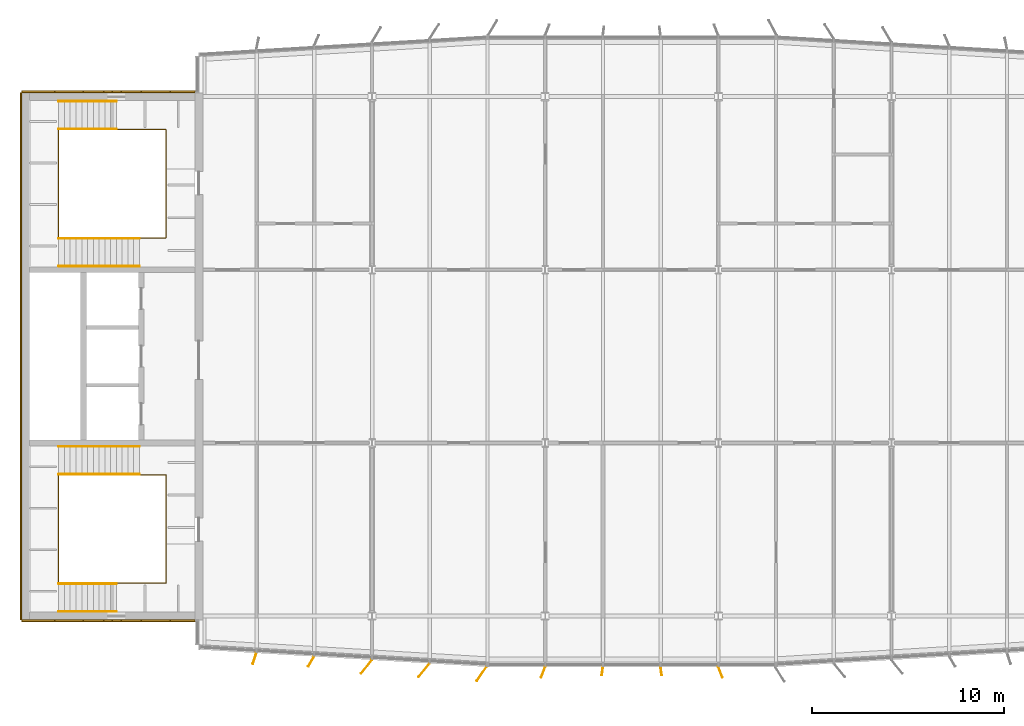
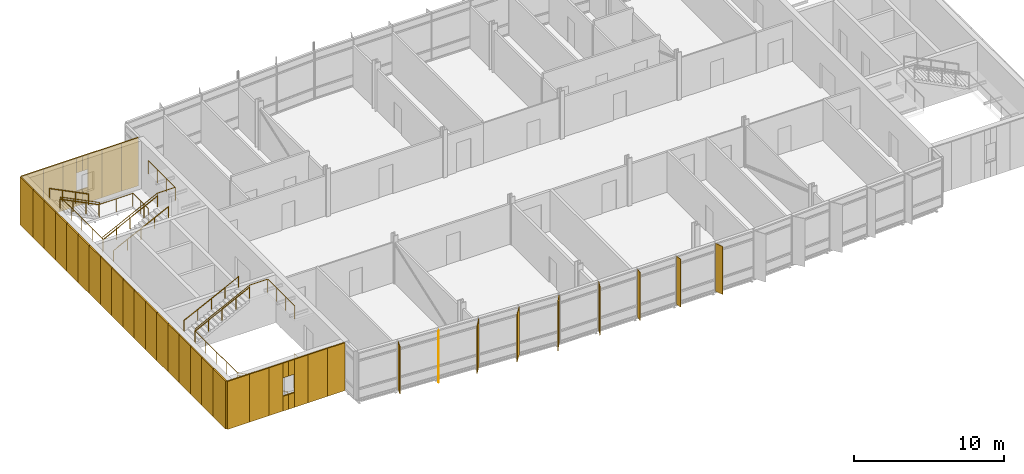
# One storey, part 16 of 18: 38 coverings, 10 railings, 9 shading devices.
"""IFC4 building model written with IfcOpenShell, lengths in metres."""

from ifc_helpers import new_model, si_unit, direction, frame, origin, origin_2d, place, context, subcontext, project, spatial, rectangle, circle, extrude, material, layer, layer_set, type_object, element, save


model = new_model("IFC4")

# Units and contexts
model_context = context("Model", 3, precision=1e-05, world=origin(), true_north=direction((0.0, 1.0)))
body_context = subcontext(model_context, "Body", "Model", "MODEL_VIEW")
ifc_project = project(units=[si_unit("LENGTHUNIT", "METRE"), si_unit("AREAUNIT", "SQUARE_METRE"), si_unit("VOLUMEUNIT", "CUBIC_METRE"), si_unit("PLANEANGLEUNIT", "RADIAN"), si_unit("MASSUNIT", "GRAM", prefix="KILO")], contexts=[model_context])

# Site, building, storey
site_placement = place(None, origin())
site = spatial("IfcSite", under=ifc_project, at=site_placement, CompositionType="ELEMENT")
building_placement = place(site_placement, origin())
building = spatial("IfcBuilding", under=site, at=building_placement, Name="Azimuth Sports and Learning Centre", CompositionType="ELEMENT")
storey_placement = place(building_placement, frame((0.0, 0.0, 63.60009765625)))
storey = spatial("IfcBuildingStorey", under=building, at=storey_placement, Name="L14", CompositionType="ELEMENT", Elevation=63.60009765625)

# Coverings
ifc_material_1 = material(Name="Cladding panel")
ifc_layer_1 = layer(ifc_material_1, 0.10009765625)
ifc_layer_set_1 = layer_set([ifc_layer_1], Name="Cladding panel")
covering_type = type_object("IfcCoveringType", Name="Cladding panel 100", PredefinedType="CLADDING", material=ifc_layer_set_1)
covering_1_placement = place(storey_placement, frame((54.64990234375, 89.75, 0.0), z_axis=(0.0, 0.0, 1.0), x_axis=(1.0, 0.0, 0.0)))
element("IfcCovering", 1, at=covering_1_placement, inside=storey, type_object=covering_type, Name="Cladding panel S-CORE W L14 1", PredefinedType="CLADDING", context=body_context, shape_type="SweptSolid", body=[
    extrude(rectangle(XDim=1.699951171875, YDim=0.10009765625, at=origin_2d()), origin(), (0.0, 0.0, 1.0), 3.89990234375),
])
covering_2_placement = place(storey_placement, frame((56.25, 89.75, 0.0), z_axis=(0.0, 0.0, 1.0), x_axis=(1.0, 0.0, 0.0)))
element("IfcCovering", 2, at=covering_2_placement, inside=storey, type_object=covering_type, Name="Cladding panel S-CORE W L14 2", PredefinedType="CLADDING", context=body_context, shape_type="SweptSolid", body=[
    extrude(rectangle(XDim=1.5, YDim=0.10009765625, at=origin_2d()), origin(), (0.0, 0.0, 1.0), 3.89990234375),
])
covering_3_placement = place(storey_placement, frame((57.52490234375, 89.75, 0.0), z_axis=(0.0, 0.0, 1.0), x_axis=(1.0, 0.0, 0.0)))
element("IfcCovering", 3, at=covering_3_placement, inside=storey, type_object=covering_type, Name="Cladding panel S-CORE W L14 3", PredefinedType="CLADDING", context=body_context, shape_type="SweptSolid", body=[
    extrude(rectangle(XDim=1.050048828125, YDim=0.10009765625, at=origin_2d()), origin(), (0.0, 0.0, 1.0), 3.89990234375),
])
for number, where, z_axis, x_axis, name in (
    (4, (58.27490234375, 89.75, 0.0), (0.0, 0.0, 1.0), (1.0, 0.0, 0.0), "Cladding panel S-CORE W L14 4"),
    (5, (58.27490234375, 89.75, 2.69970703125), (0.0, 0.0, 1.0), (1.0, 0.0, 0.0), "Cladding panel S-CORE W L14 5"),
):
    element("IfcCovering", number, at=place(storey_placement, frame(where, z_axis=z_axis, x_axis=x_axis)), inside=storey, type_object=covering_type, Name=name, PredefinedType="CLADDING", context=body_context, shape_type="SweptSolid", body=[
        extrude(rectangle(XDim=0.449951171875, YDim=0.10009765625, at=origin_2d()), origin(), (0.0, 0.0, 1.0), 1.199951171875),
    ])
covering_4_placement = place(storey_placement, frame((59.47509765625, 89.75, 0.0), z_axis=(0.0, 0.0, 1.0), x_axis=(1.0, 0.0, 0.0)))
element("IfcCovering", 6, at=covering_4_placement, inside=storey, type_object=covering_type, Name="Cladding panel S-CORE W L14 6", PredefinedType="CLADDING", context=body_context, shape_type="SweptSolid", body=[
    extrude(rectangle(XDim=1.050048828125, YDim=0.10009765625, at=origin_2d()), origin(), (0.0, 0.0, 1.0), 3.89990234375),
])
for number, where, z_axis, x_axis, name in (
    (7, (58.72509765625, 89.75, 0.0), (0.0, 0.0, 1.0), (1.0, 0.0, 0.0), "Cladding panel S-CORE W L14 7"),
    (8, (58.72509765625, 89.75, 2.69970703125), (0.0, 0.0, 1.0), (1.0, 0.0, 0.0), "Cladding panel S-CORE W L14 8"),
):
    element("IfcCovering", number, at=place(storey_placement, frame(where, z_axis=z_axis, x_axis=x_axis)), inside=storey, type_object=covering_type, Name=name, PredefinedType="CLADDING", context=body_context, shape_type="SweptSolid", body=[
        extrude(rectangle(XDim=0.449951171875, YDim=0.10009765625, at=origin_2d()), origin(), (0.0, 0.0, 1.0), 1.199951171875),
    ])
covering_5_placement = place(storey_placement, frame((60.75, 89.75, 0.0), z_axis=(0.0, 0.0, 1.0), x_axis=(1.0, 0.0, 0.0)))
element("IfcCovering", 9, at=covering_5_placement, inside=storey, type_object=covering_type, Name="Cladding panel S-CORE W L14 9", PredefinedType="CLADDING", context=body_context, shape_type="SweptSolid", body=[
    extrude(rectangle(XDim=1.5, YDim=0.10009765625, at=origin_2d()), origin(), (0.0, 0.0, 1.0), 3.89990234375),
])
for number, where, z_axis, x_axis, name in (
    (10, (62.159912109375, 89.75, 0.0), (0.0, 0.0, 1.0), (1.0, 0.0, 0.0), "Cladding panel S-CORE W L14 10"),
    (11, (62.159912109375, 117.25, 0.0), (0.0, 0.0, 1.0), (-1.0, 0.0, 0.0), "Cladding panel N-CORE W L14 1"),
):
    element("IfcCovering", number, at=place(storey_placement, frame(where, z_axis=z_axis, x_axis=x_axis)), inside=storey, type_object=covering_type, Name=name, PredefinedType="CLADDING", context=body_context, shape_type="SweptSolid", body=[
        extrude(rectangle(XDim=1.320068359375, YDim=0.10009765625, at=origin_2d()), origin(), (0.0, 0.0, 1.0), 3.89990234375),
    ])
covering_6_placement = place(storey_placement, frame((60.75, 117.25, 0.0), z_axis=(0.0, 0.0, 1.0), x_axis=(-1.0, 0.0, 0.0)))
element("IfcCovering", 12, at=covering_6_placement, inside=storey, type_object=covering_type, Name="Cladding panel N-CORE W L14 2", PredefinedType="CLADDING", context=body_context, shape_type="SweptSolid", body=[
    extrude(rectangle(XDim=1.5, YDim=0.10009765625, at=origin_2d()), origin(), (0.0, 0.0, 1.0), 3.89990234375),
])
covering_7_placement = place(storey_placement, frame((59.47509765625, 117.25, 0.0), z_axis=(0.0, 0.0, 1.0), x_axis=(-1.0, 0.0, 0.0)))
element("IfcCovering", 13, at=covering_7_placement, inside=storey, type_object=covering_type, Name="Cladding panel N-CORE W L14 3", PredefinedType="CLADDING", context=body_context, shape_type="SweptSolid", body=[
    extrude(rectangle(XDim=1.050048828125, YDim=0.10009765625, at=origin_2d()), origin(), (0.0, 0.0, 1.0), 3.89990234375),
])
for number, where, z_axis, x_axis, name in (
    (14, (58.72509765625, 117.25, 0.0), (0.0, 0.0, 1.0), (-1.0, 0.0, 0.0), "Cladding panel N-CORE W L14 4"),
    (15, (58.72509765625, 117.25, 2.69970703125), (0.0, 0.0, 1.0), (-1.0, 0.0, 0.0), "Cladding panel N-CORE W L14 5"),
):
    element("IfcCovering", number, at=place(storey_placement, frame(where, z_axis=z_axis, x_axis=x_axis)), inside=storey, type_object=covering_type, Name=name, PredefinedType="CLADDING", context=body_context, shape_type="SweptSolid", body=[
        extrude(rectangle(XDim=0.449951171875, YDim=0.10009765625, at=origin_2d()), origin(), (0.0, 0.0, 1.0), 1.199951171875),
    ])
covering_8_placement = place(storey_placement, frame((57.52490234375, 117.25, 0.0), z_axis=(0.0, 0.0, 1.0), x_axis=(-1.0, 0.0, 0.0)))
element("IfcCovering", 16, at=covering_8_placement, inside=storey, type_object=covering_type, Name="Cladding panel N-CORE W L14 6", PredefinedType="CLADDING", context=body_context, shape_type="SweptSolid", body=[
    extrude(rectangle(XDim=1.050048828125, YDim=0.10009765625, at=origin_2d()), origin(), (0.0, 0.0, 1.0), 3.89990234375),
])
for number, where, z_axis, x_axis, name in (
    (17, (58.27490234375, 117.25, 0.0), (0.0, 0.0, 1.0), (-1.0, 0.0, 0.0), "Cladding panel N-CORE W L14 7"),
    (18, (58.27490234375, 117.25, 2.69970703125), (0.0, 0.0, 1.0), (-1.0, 0.0, 0.0), "Cladding panel N-CORE W L14 8"),
):
    element("IfcCovering", number, at=place(storey_placement, frame(where, z_axis=z_axis, x_axis=x_axis)), inside=storey, type_object=covering_type, Name=name, PredefinedType="CLADDING", context=body_context, shape_type="SweptSolid", body=[
        extrude(rectangle(XDim=0.449951171875, YDim=0.10009765625, at=origin_2d()), origin(), (0.0, 0.0, 1.0), 1.199951171875),
    ])
covering_9_placement = place(storey_placement, frame((56.25, 117.25, 0.0), z_axis=(0.0, 0.0, 1.0), x_axis=(-1.0, 0.0, 0.0)))
element("IfcCovering", 19, at=covering_9_placement, inside=storey, type_object=covering_type, Name="Cladding panel N-CORE W L14 9", PredefinedType="CLADDING", context=body_context, shape_type="SweptSolid", body=[
    extrude(rectangle(XDim=1.5, YDim=0.10009765625, at=origin_2d()), origin(), (0.0, 0.0, 1.0), 3.89990234375),
])
for number, where, z_axis, x_axis, name in (
    (20, (54.64990234375, 117.25, 0.0), (0.0, 0.0, 1.0), (-1.0, 0.0, 0.0), "Cladding panel N-CORE W L14 10"),
    (21, (53.75, 116.35009765625, 0.0), (0.0, 0.0, 1.0), (0.0, -1.0, 0.0), "Cladding panel W-CORE W L14 1"),
):
    element("IfcCovering", number, at=place(storey_placement, frame(where, z_axis=z_axis, x_axis=x_axis)), inside=storey, type_object=covering_type, Name=name, PredefinedType="CLADDING", context=body_context, shape_type="SweptSolid", body=[
        extrude(rectangle(XDim=1.699951171875, YDim=0.10009765625, at=origin_2d()), origin(), (0.0, 0.0, 1.0), 3.89990234375),
    ])
for number, where, z_axis, x_axis, name in (
    (22, (53.75, 114.75, 0.0), (0.0, 0.0, 1.0), (0.0, -1.0, 0.0), "Cladding panel W-CORE W L14 2"),
    (23, (53.75, 113.25, 0.0), (0.0, 0.0, 1.0), (0.0, -1.0, 0.0), "Cladding panel W-CORE W L14 3"),
    (24, (53.75, 111.75, 0.0), (0.0, 0.0, 1.0), (0.0, -1.0, 0.0), "Cladding panel W-CORE W L14 4"),
    (25, (53.75, 110.25, 0.0), (0.0, 0.0, 1.0), (0.0, -1.0, 0.0), "Cladding panel W-CORE W L14 5"),
    (26, (53.75, 108.75, 0.0), (0.0, 0.0, 1.0), (0.0, -1.0, 0.0), "Cladding panel W-CORE W L14 6"),
    (27, (53.75, 107.25, 0.0), (0.0, 0.0, 1.0), (0.0, -1.0, 0.0), "Cladding panel W-CORE W L14 7"),
    (28, (53.75, 105.75, 0.0), (0.0, 0.0, 1.0), (0.0, -1.0, 0.0), "Cladding panel W-CORE W L14 8"),
    (29, (53.75, 104.25, 0.0), (0.0, 0.0, 1.0), (0.0, -1.0, 0.0), "Cladding panel W-CORE W L14 9"),
    (30, (53.75, 102.75, 0.0), (0.0, 0.0, 1.0), (0.0, -1.0, 0.0), "Cladding panel W-CORE W L14 10"),
    (31, (53.75, 101.25, 0.0), (0.0, 0.0, 1.0), (0.0, -1.0, 0.0), "Cladding panel W-CORE W L14 11"),
    (32, (53.75, 99.75, 0.0), (0.0, 0.0, 1.0), (0.0, -1.0, 0.0), "Cladding panel W-CORE W L14 12"),
    (33, (53.75, 98.25, 0.0), (0.0, 0.0, 1.0), (0.0, -1.0, 0.0), "Cladding panel W-CORE W L14 13"),
    (34, (53.75, 96.75, 0.0), (0.0, 0.0, 1.0), (0.0, -1.0, 0.0), "Cladding panel W-CORE W L14 14"),
    (35, (53.75, 95.25, 0.0), (0.0, 0.0, 1.0), (0.0, -1.0, 0.0), "Cladding panel W-CORE W L14 15"),
    (36, (53.75, 93.75, 0.0), (0.0, 0.0, 1.0), (0.0, -1.0, 0.0), "Cladding panel W-CORE W L14 16"),
    (37, (53.75, 92.25, 0.0), (0.0, 0.0, 1.0), (0.0, -1.0, 0.0), "Cladding panel W-CORE W L14 17"),
):
    element("IfcCovering", number, at=place(storey_placement, frame(where, z_axis=z_axis, x_axis=x_axis)), inside=storey, type_object=covering_type, Name=name, PredefinedType="CLADDING", context=body_context, shape_type="SweptSolid", body=[
        extrude(rectangle(XDim=1.5, YDim=0.10009765625, at=origin_2d()), origin(), (0.0, 0.0, 1.0), 3.89990234375),
    ])
covering_10_placement = place(storey_placement, frame((53.75, 90.64990234375, 0.0), z_axis=(0.0, 0.0, 1.0), x_axis=(0.0, -1.0, 0.0)))
element("IfcCovering", 38, at=covering_10_placement, inside=storey, type_object=covering_type, Name="Cladding panel W-CORE W L14 18", PredefinedType="CLADDING", context=body_context, shape_type="SweptSolid", body=[
    extrude(rectangle(XDim=1.699951171875, YDim=0.10009765625, at=origin_2d()), origin(), (0.0, 0.0, 1.0), 3.89990234375),
])

# Shading devices
ifc_material_2 = material(Name="Aluminium", Category="aluminium")
ifc_layer_2 = layer(ifc_material_2, 0.0400390625)
ifc_layer_set_2 = layer_set([ifc_layer_2], Name="Aluminium")
shading_device_type_1 = type_object("IfcShadingDeviceType", Name="Shading fin 450", PredefinedType="JALOUSIE", material=ifc_layer_set_2)
for number, where, z_axis, x_axis, name in (
    (39, (83.970703125, 87.136962890625, 0.0), (0.0, 0.0, 1.0), (-0.130263528306, -0.991479406338, 0.0), "Shading fin F14-007"),
    (40, (87.029296875, 87.136962890625, 0.0), (0.0, 0.0, 1.0), (0.130263528306, -0.991479406338, 0.0), "Shading fin F14-008"),
):
    element("IfcShadingDevice", number, at=place(storey_placement, frame(where, z_axis=z_axis, x_axis=x_axis)), inside=storey, type_object=shading_device_type_1, Name=name, PredefinedType="JALOUSIE", context=body_context, shape_type="SweptSolid", body=[
        extrude(rectangle(XDim=0.449951171875, YDim=0.0400390625, at=origin_2d()), origin(), (0.0, 0.0, 1.0), 3.89990234375),
    ])
ifc_material_3 = material(Name="Aluminium", Category="aluminium")
ifc_layer_3 = layer(ifc_material_3, 0.0400390625)
ifc_layer_set_3 = layer_set([ifc_layer_3], Name="Aluminium")
shading_device_type_2 = type_object("IfcShadingDeviceType", Name="Shading fin 600", PredefinedType="JALOUSIE", material=ifc_layer_set_3)
for number, where, z_axis, x_axis, name in (
    (41, (65.892578125, 87.795166015625, 0.0), (0.0, 0.0, 1.0), (-0.310280447308, -0.950645067319, 0.0), "Shading fin F14-001"),
    (42, (68.834716796875, 87.64111328125, 0.0), (0.0, 0.0, 1.0), (-0.50282122482, -0.864390430228, 0.0), "Shading fin F14-002"),
    (43, (80.8916015625, 87.080322265625, 0.0), (0.0, 0.0, 1.0), (-0.36097797694, -0.932574340288, 0.0), "Shading fin F14-006"),
    (44, (90.1083984375, 87.080322265625, 0.0), (0.0, 0.0, 1.0), (0.36097797694, -0.932574340288, 0.0), "Shading fin F14-009"),
):
    element("IfcShadingDevice", number, at=place(storey_placement, frame(where, z_axis=z_axis, x_axis=x_axis)), inside=storey, type_object=shading_device_type_2, Name=name, PredefinedType="JALOUSIE", context=body_context, shape_type="SweptSolid", body=[
        extrude(rectangle(XDim=0.60009765625, YDim=0.0400390625, at=origin_2d()), origin(), (0.0, 0.0, 1.0), 3.89990234375),
    ])
ifc_material_4 = material(Name="Aluminium", Category="aluminium")
ifc_layer_4 = layer(ifc_material_4, 0.0400390625)
ifc_layer_set_4 = layer_set([ifc_layer_4], Name="Aluminium")
shading_device_type_3 = type_object("IfcShadingDeviceType", Name="Shading fin 900", PredefinedType="JALOUSIE", material=ifc_layer_set_4)
for number, where, z_axis, x_axis, name in (
    (45, (71.710693359375, 87.3642578125, 0.0), (0.0, 0.0, 1.0), (-0.611135436755, -0.791526043755, 0.0), "Shading fin F14-003"),
    (46, (74.700927734375, 87.19189453125, 0.0), (0.0, 0.0, 1.0), (-0.632521516641, -0.77454278835, 0.0), "Shading fin F14-004"),
    (47, (77.695068359375, 86.9921875, 0.0), (0.0, 0.0, 1.0), (-0.567994981624, -0.823032016904, 0.0), "Shading fin F14-005"),
):
    element("IfcShadingDevice", number, at=place(storey_placement, frame(where, z_axis=z_axis, x_axis=x_axis)), inside=storey, type_object=shading_device_type_3, Name=name, PredefinedType="JALOUSIE", context=body_context, shape_type="SweptSolid", body=[
        extrude(rectangle(XDim=0.89990234375, YDim=0.0400390625, at=origin_2d()), origin(), (0.0, 0.0, 1.0), 3.89990234375),
    ])

# Railings
ifc_material_5 = material(Name="Stainless steel", Category="steel")
railing_type_1 = type_object("IfcRailingType", Name="Stair guard 1100", PredefinedType="GUARDRAIL", material=ifc_material_5)
railing_1_placement = place(storey_placement, frame((61.2900390625, 93.75, 0.0)))
element("IfcRailing", 48, at=railing_1_placement, inside=storey, type_object=railing_type_1, Name="Guard W1 L14 well", PredefinedType="GUARDRAIL", context=body_context, shape_type="SweptSolid", body=[
    extrude(circle(Radius=0.02392578125, at=origin_2d()), frame((0.0, 0.0, 1.076171875), z_axis=(0.0, -1.0, 0.0), x_axis=(1.0, 0.0, 0.0)), (0.0, 0.0, 1.0), 2.0400390625),
    extrude(circle(Radius=0.02392578125, at=origin_2d()), frame((0.0, -2.0400390625, 1.076171875), z_axis=(-1.0, 0.0, 0.0), x_axis=(0.0, -1.0, 0.0)), (0.0, 0.0, 1.0), 2.580078125),
    extrude(circle(Radius=0.02392578125, at=origin_2d()), frame((-2.580078125, -2.0400390625, 1.076171875), z_axis=(0.0, 0.0, 1.0), x_axis=(1.0, 0.0, 0.0)), (0.0, 0.0, 1.0), 0.14990234375),
    extrude(circle(Radius=0.02392578125, at=origin_2d()), frame((-2.580078125, -2.0400390625, 1.22607421875), z_axis=(-0.894427191, 0.0, 0.4472135955), x_axis=(0.0, -1.0, 0.0)), (0.0, 0.0, 1.0), 3.35400390625),
    extrude(circle(Radius=0.02392578125, at=origin_2d()), frame((-5.580078125, -2.0400390625, 2.72607421875), z_axis=(0.0, 1.0, 0.0), x_axis=(-1.0, 0.0, 0.0)), (0.0, 0.0, 1.0), 5.630126953125),
    extrude(circle(Radius=0.02392578125, at=origin_2d()), frame((-5.580078125, 3.590087890625, 2.72607421875), z_axis=(0.0, 0.0, 1.0), x_axis=(1.0, 0.0, 0.0)), (0.0, 0.0, 1.0), 0.14990234375),
    extrude(circle(Radius=0.02392578125, at=origin_2d()), frame((-5.580078125, 3.590087890625, 2.8759765625), z_axis=(0.894416792377, 0.0, 0.447234392142), x_axis=(0.0, 1.0, 0.0)), (0.0, 0.0, 1.0), 4.69580078125),
    extrude(circle(Radius=0.02392578125, at=origin_2d()), frame((-1.380126953125, 3.590087890625, 4.97607421875), z_axis=(1.0, 0.0, 0.0), x_axis=(0.0, 1.0, 0.0)), (0.0, 0.0, 1.0), 1.380126953125),
    extrude(circle(Radius=0.02392578125, at=origin_2d()), frame((0.0, 3.590087890625, 4.97607421875), z_axis=(0.0, -1.0, 0.0), x_axis=(1.0, 0.0, 0.0)), (0.0, 0.0, 1.0), 3.590087890625),
    extrude(circle(Radius=0.01611328125, at=origin_2d()), origin(), (0.0, 0.0, 1.0), 1.052001953125),
    extrude(circle(Radius=0.01611328125, at=origin_2d()), frame((0.0, -1.02001953125, 0.0)), (0.0, 0.0, 1.0), 1.052001953125),
    extrude(circle(Radius=0.01611328125, at=origin_2d()), frame((0.0, -2.0400390625, 0.0)), (0.0, 0.0, 1.0), 1.052001953125),
    extrude(circle(Radius=0.01611328125, at=origin_2d()), frame((-1.2900390625, -2.0400390625, 0.0)), (0.0, 0.0, 1.0), 1.052001953125),
    extrude(circle(Radius=0.01611328125, at=origin_2d()), frame((-2.580078125, -2.0400390625, 0.0)), (0.0, 0.0, 1.0), 1.052001953125),
    extrude(circle(Radius=0.01611328125, at=origin_2d()), frame((-2.580078125, -2.0400390625, 0.14990234375)), (0.0, 0.0, 1.0), 1.052001953125),
    extrude(circle(Radius=0.01611328125, at=origin_2d()), frame((-3.580078125, -2.0400390625, 0.64990234375)), (0.0, 0.0, 1.0), 1.052001953125),
    extrude(circle(Radius=0.01611328125, at=origin_2d()), frame((-4.580078125, -2.0400390625, 1.14990234375)), (0.0, 0.0, 1.0), 1.052001953125),
    extrude(circle(Radius=0.01611328125, at=origin_2d()), frame((-5.580078125, -2.0400390625, 1.64990234375)), (0.0, 0.0, 1.0), 1.052001953125),
    extrude(circle(Radius=0.01611328125, at=origin_2d()), frame((-5.580078125, -0.632568359375, 1.64990234375)), (0.0, 0.0, 1.0), 1.052001953125),
    extrude(circle(Radius=0.01611328125, at=origin_2d()), frame((-5.580078125, 0.77490234375, 1.64990234375)), (0.0, 0.0, 1.0), 1.052001953125),
    extrude(circle(Radius=0.01611328125, at=origin_2d()), frame((-5.580078125, 2.1826171875, 1.64990234375)), (0.0, 0.0, 1.0), 1.052001953125),
    extrude(circle(Radius=0.01611328125, at=origin_2d()), frame((-5.580078125, 3.590087890625, 1.64990234375)), (0.0, 0.0, 1.0), 1.052001953125),
    extrude(circle(Radius=0.01611328125, at=origin_2d()), frame((-5.580078125, 3.590087890625, 1.7998046875)), (0.0, 0.0, 1.0), 1.052001953125),
    extrude(circle(Radius=0.01611328125, at=origin_2d()), frame((-4.530029296875, 3.590087890625, 2.32470703125)), (0.0, 0.0, 1.0), 1.052001953125),
    extrude(circle(Radius=0.01611328125, at=origin_2d()), frame((-3.47998046875, 3.590087890625, 2.849853515625)), (0.0, 0.0, 1.0), 1.052001953125),
    extrude(circle(Radius=0.01611328125, at=origin_2d()), frame((-2.43017578125, 3.590087890625, 3.375)), (0.0, 0.0, 1.0), 1.052001953125),
    extrude(circle(Radius=0.01611328125, at=origin_2d()), frame((-1.380126953125, 3.590087890625, 3.89990234375)), (0.0, 0.0, 1.0), 1.052001953125),
    extrude(circle(Radius=0.01611328125, at=origin_2d()), frame((0.0, 3.590087890625, 3.89990234375)), (0.0, 0.0, 1.0), 1.052001953125),
    extrude(circle(Radius=0.01611328125, at=origin_2d()), frame((0.0, 2.393310546875, 3.89990234375)), (0.0, 0.0, 1.0), 1.052001953125),
    extrude(circle(Radius=0.01611328125, at=origin_2d()), frame((0.0, 1.19677734375, 3.89990234375)), (0.0, 0.0, 1.0), 1.052001953125),
    extrude(circle(Radius=0.01611328125, at=origin_2d()), frame((0.0, 0.0, 3.89990234375)), (0.0, 0.0, 1.0), 1.052001953125),
])
railing_2_placement = place(storey_placement, frame((61.2900390625, 113.25, 0.0)))
element("IfcRailing", 49, at=railing_2_placement, inside=storey, type_object=railing_type_1, Name="Guard W2 L14 well", PredefinedType="GUARDRAIL", context=body_context, shape_type="SweptSolid", body=[
    extrude(circle(Radius=0.02392578125, at=origin_2d()), frame((0.0, 0.0, 1.076171875), z_axis=(0.0, 1.0, 0.0), x_axis=(-1.0, 0.0, 0.0)), (0.0, 0.0, 1.0), 2.0400390625),
    extrude(circle(Radius=0.02392578125, at=origin_2d()), frame((0.0, 2.0400390625, 1.076171875), z_axis=(-1.0, 0.0, 0.0), x_axis=(0.0, -1.0, 0.0)), (0.0, 0.0, 1.0), 2.580078125),
    extrude(circle(Radius=0.02392578125, at=origin_2d()), frame((-2.580078125, 2.0400390625, 1.076171875), z_axis=(0.0, 0.0, 1.0), x_axis=(1.0, 0.0, 0.0)), (0.0, 0.0, 1.0), 0.14990234375),
    extrude(circle(Radius=0.02392578125, at=origin_2d()), frame((-2.580078125, 2.0400390625, 1.22607421875), z_axis=(-0.894427191, 0.0, 0.4472135955), x_axis=(0.0, -1.0, 0.0)), (0.0, 0.0, 1.0), 3.35400390625),
    extrude(circle(Radius=0.02392578125, at=origin_2d()), frame((-5.580078125, 2.0400390625, 2.72607421875), z_axis=(0.0, -1.0, 0.0), x_axis=(1.0, 0.0, 0.0)), (0.0, 0.0, 1.0), 5.630126953125),
    extrude(circle(Radius=0.02392578125, at=origin_2d()), frame((-5.580078125, -3.590087890625, 2.72607421875), z_axis=(0.0, 0.0, 1.0), x_axis=(1.0, 0.0, 0.0)), (0.0, 0.0, 1.0), 0.14990234375),
    extrude(circle(Radius=0.02392578125, at=origin_2d()), frame((-5.580078125, -3.590087890625, 2.8759765625), z_axis=(0.894416792377, 0.0, 0.447234392142), x_axis=(0.0, 1.0, 0.0)), (0.0, 0.0, 1.0), 4.69580078125),
    extrude(circle(Radius=0.02392578125, at=origin_2d()), frame((-1.380126953125, -3.590087890625, 4.97607421875), z_axis=(1.0, 0.0, 0.0), x_axis=(0.0, 1.0, 0.0)), (0.0, 0.0, 1.0), 1.380126953125),
    extrude(circle(Radius=0.02392578125, at=origin_2d()), frame((0.0, -3.590087890625, 4.97607421875), z_axis=(0.0, 1.0, 0.0), x_axis=(-1.0, 0.0, 0.0)), (0.0, 0.0, 1.0), 3.590087890625),
    extrude(circle(Radius=0.01611328125, at=origin_2d()), origin(), (0.0, 0.0, 1.0), 1.052001953125),
    extrude(circle(Radius=0.01611328125, at=origin_2d()), frame((0.0, 1.02001953125, 0.0)), (0.0, 0.0, 1.0), 1.052001953125),
    extrude(circle(Radius=0.01611328125, at=origin_2d()), frame((0.0, 2.0400390625, 0.0)), (0.0, 0.0, 1.0), 1.052001953125),
    extrude(circle(Radius=0.01611328125, at=origin_2d()), frame((-1.2900390625, 2.0400390625, 0.0)), (0.0, 0.0, 1.0), 1.052001953125),
    extrude(circle(Radius=0.01611328125, at=origin_2d()), frame((-2.580078125, 2.0400390625, 0.0)), (0.0, 0.0, 1.0), 1.052001953125),
    extrude(circle(Radius=0.01611328125, at=origin_2d()), frame((-2.580078125, 2.0400390625, 0.14990234375)), (0.0, 0.0, 1.0), 1.052001953125),
    extrude(circle(Radius=0.01611328125, at=origin_2d()), frame((-3.580078125, 2.0400390625, 0.64990234375)), (0.0, 0.0, 1.0), 1.052001953125),
    extrude(circle(Radius=0.01611328125, at=origin_2d()), frame((-4.580078125, 2.0400390625, 1.14990234375)), (0.0, 0.0, 1.0), 1.052001953125),
    extrude(circle(Radius=0.01611328125, at=origin_2d()), frame((-5.580078125, 2.0400390625, 1.64990234375)), (0.0, 0.0, 1.0), 1.052001953125),
    extrude(circle(Radius=0.01611328125, at=origin_2d()), frame((-5.580078125, 0.632568359375, 1.64990234375)), (0.0, 0.0, 1.0), 1.052001953125),
    extrude(circle(Radius=0.01611328125, at=origin_2d()), frame((-5.580078125, -0.77490234375, 1.64990234375)), (0.0, 0.0, 1.0), 1.052001953125),
    extrude(circle(Radius=0.01611328125, at=origin_2d()), frame((-5.580078125, -2.1826171875, 1.64990234375)), (0.0, 0.0, 1.0), 1.052001953125),
    extrude(circle(Radius=0.01611328125, at=origin_2d()), frame((-5.580078125, -3.590087890625, 1.64990234375)), (0.0, 0.0, 1.0), 1.052001953125),
    extrude(circle(Radius=0.01611328125, at=origin_2d()), frame((-5.580078125, -3.590087890625, 1.7998046875)), (0.0, 0.0, 1.0), 1.052001953125),
    extrude(circle(Radius=0.01611328125, at=origin_2d()), frame((-4.530029296875, -3.590087890625, 2.32470703125)), (0.0, 0.0, 1.0), 1.052001953125),
    extrude(circle(Radius=0.01611328125, at=origin_2d()), frame((-3.47998046875, -3.590087890625, 2.849853515625)), (0.0, 0.0, 1.0), 1.052001953125),
    extrude(circle(Radius=0.01611328125, at=origin_2d()), frame((-2.43017578125, -3.590087890625, 3.375)), (0.0, 0.0, 1.0), 1.052001953125),
    extrude(circle(Radius=0.01611328125, at=origin_2d()), frame((-1.380126953125, -3.590087890625, 3.89990234375)), (0.0, 0.0, 1.0), 1.052001953125),
    extrude(circle(Radius=0.01611328125, at=origin_2d()), frame((0.0, -3.590087890625, 3.89990234375)), (0.0, 0.0, 1.0), 1.052001953125),
    extrude(circle(Radius=0.01611328125, at=origin_2d()), frame((0.0, -2.393310546875, 3.89990234375)), (0.0, 0.0, 1.0), 1.052001953125),
    extrude(circle(Radius=0.01611328125, at=origin_2d()), frame((0.0, -1.19677734375, 3.89990234375)), (0.0, 0.0, 1.0), 1.052001953125),
    extrude(circle(Radius=0.01611328125, at=origin_2d()), frame((0.0, 0.0, 3.89990234375)), (0.0, 0.0, 1.0), 1.052001953125),
])
ifc_material_6 = material(Name="Stainless steel", Category="steel")
railing_type_2 = type_object("IfcRailingType", Name="Stair handrail 42", PredefinedType="HANDRAIL", material=ifc_material_6)
for number, where, name in (
    (50, (58.7099609375, 91.679931640625, 0.14990234375), "Handrail W1 L14 flight 1 inner"),
    (51, (58.7099609375, 90.239990234375, 0.14990234375), "Handrail W1 L14 flight 1 outer"),
):
    element("IfcRailing", number, at=place(storey_placement, frame(where)), inside=storey, type_object=railing_type_2, Name=name, PredefinedType="HANDRAIL", context=body_context, shape_type="SweptSolid", body=[
        extrude(circle(Radius=0.02099609375, at=origin_2d()), frame((0.0, 0.0, 0.87890625), z_axis=(-0.894427191, 0.0, 0.4472135955), x_axis=(0.0, -1.0, 0.0)), (0.0, 0.0, 1.0), 3.35400390625),
        extrude(circle(Radius=0.01611328125, at=origin_2d()), origin(), (0.0, 0.0, 1.0), 0.85791015625),
        extrude(circle(Radius=0.01611328125, at=origin_2d()), frame((-1.0, 0.0, 0.5)), (0.0, 0.0, 1.0), 0.85791015625),
        extrude(circle(Radius=0.01611328125, at=origin_2d()), frame((-2.0, 0.0, 1.0)), (0.0, 0.0, 1.0), 0.85791015625),
        extrude(circle(Radius=0.01611328125, at=origin_2d()), frame((-3.0, 0.0, 1.5)), (0.0, 0.0, 1.0), 0.85791015625),
    ])
for number, where, name in (
    (52, (55.7099609375, 97.3701171875, 1.7998046875), "Handrail W1 L14 flight 2 inner"),
    (53, (55.7099609375, 98.81005859375, 1.7998046875), "Handrail W1 L14 flight 2 outer"),
):
    element("IfcRailing", number, at=place(storey_placement, frame(where)), inside=storey, type_object=railing_type_2, Name=name, PredefinedType="HANDRAIL", context=body_context, shape_type="SweptSolid", body=[
        extrude(circle(Radius=0.02099609375, at=origin_2d()), frame((0.0, 0.0, 0.87890625), z_axis=(0.894416792377, 0.0, 0.447234392142), x_axis=(0.0, 1.0, 0.0)), (0.0, 0.0, 1.0), 4.69580078125),
        extrude(circle(Radius=0.01611328125, at=origin_2d()), origin(), (0.0, 0.0, 1.0), 0.85791015625),
        extrude(circle(Radius=0.01611328125, at=origin_2d()), frame((1.050048828125, 0.0, 0.52490234375)), (0.0, 0.0, 1.0), 0.85791015625),
        extrude(circle(Radius=0.01611328125, at=origin_2d()), frame((2.10009765625, 0.0, 1.050048828125)), (0.0, 0.0, 1.0), 0.85791015625),
        extrude(circle(Radius=0.01611328125, at=origin_2d()), frame((3.14990234375, 0.0, 1.5751953125)), (0.0, 0.0, 1.0), 0.85791015625),
        extrude(circle(Radius=0.01611328125, at=origin_2d()), frame((4.199951171875, 0.0, 2.10009765625)), (0.0, 0.0, 1.0), 0.85791015625),
    ])
for number, where, name in (
    (54, (58.7099609375, 115.320068359375, 0.14990234375), "Handrail W2 L14 flight 1 inner"),
    (55, (58.7099609375, 116.760009765625, 0.14990234375), "Handrail W2 L14 flight 1 outer"),
):
    element("IfcRailing", number, at=place(storey_placement, frame(where)), inside=storey, type_object=railing_type_2, Name=name, PredefinedType="HANDRAIL", context=body_context, shape_type="SweptSolid", body=[
        extrude(circle(Radius=0.02099609375, at=origin_2d()), frame((0.0, 0.0, 0.87890625), z_axis=(-0.894427191, 0.0, 0.4472135955), x_axis=(0.0, -1.0, 0.0)), (0.0, 0.0, 1.0), 3.35400390625),
        extrude(circle(Radius=0.01611328125, at=origin_2d()), origin(), (0.0, 0.0, 1.0), 0.85791015625),
        extrude(circle(Radius=0.01611328125, at=origin_2d()), frame((-1.0, 0.0, 0.5)), (0.0, 0.0, 1.0), 0.85791015625),
        extrude(circle(Radius=0.01611328125, at=origin_2d()), frame((-2.0, 0.0, 1.0)), (0.0, 0.0, 1.0), 0.85791015625),
        extrude(circle(Radius=0.01611328125, at=origin_2d()), frame((-3.0, 0.0, 1.5)), (0.0, 0.0, 1.0), 0.85791015625),
    ])
for number, where, name in (
    (56, (55.7099609375, 109.6298828125, 1.7998046875), "Handrail W2 L14 flight 2 inner"),
    (57, (55.7099609375, 108.18994140625, 1.7998046875), "Handrail W2 L14 flight 2 outer"),
):
    element("IfcRailing", number, at=place(storey_placement, frame(where)), inside=storey, type_object=railing_type_2, Name=name, PredefinedType="HANDRAIL", context=body_context, shape_type="SweptSolid", body=[
        extrude(circle(Radius=0.02099609375, at=origin_2d()), frame((0.0, 0.0, 0.87890625), z_axis=(0.894416792377, 0.0, 0.447234392142), x_axis=(0.0, 1.0, 0.0)), (0.0, 0.0, 1.0), 4.69580078125),
        extrude(circle(Radius=0.01611328125, at=origin_2d()), origin(), (0.0, 0.0, 1.0), 0.85791015625),
        extrude(circle(Radius=0.01611328125, at=origin_2d()), frame((1.050048828125, 0.0, 0.52490234375)), (0.0, 0.0, 1.0), 0.85791015625),
        extrude(circle(Radius=0.01611328125, at=origin_2d()), frame((2.10009765625, 0.0, 1.050048828125)), (0.0, 0.0, 1.0), 0.85791015625),
        extrude(circle(Radius=0.01611328125, at=origin_2d()), frame((3.14990234375, 0.0, 1.5751953125)), (0.0, 0.0, 1.0), 0.85791015625),
        extrude(circle(Radius=0.01611328125, at=origin_2d()), frame((4.199951171875, 0.0, 2.10009765625)), (0.0, 0.0, 1.0), 0.85791015625),
    ])

save(model, "model.ifc")
